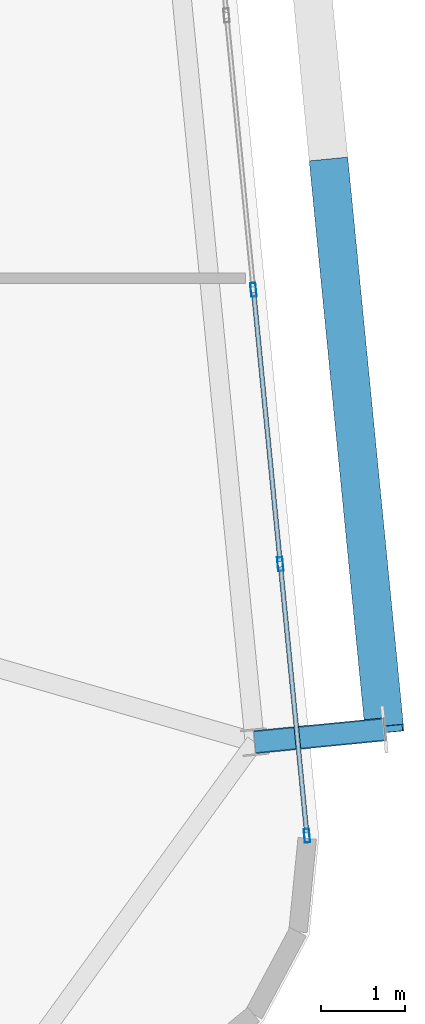
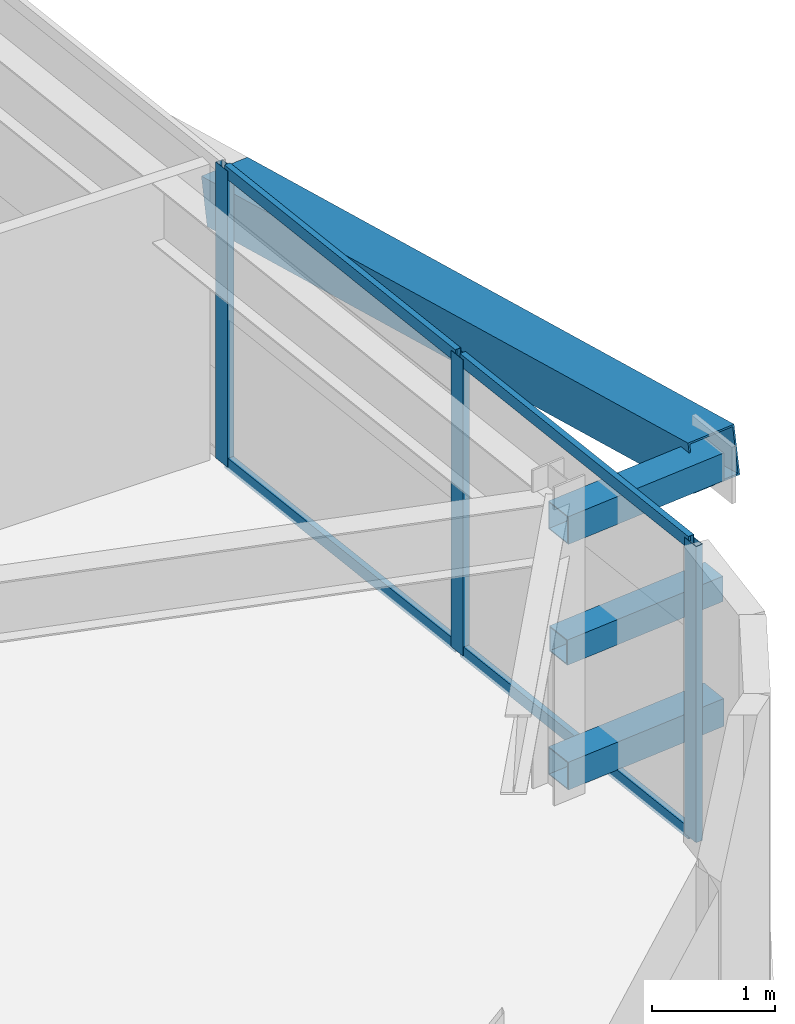
# One storey, part 22 of 51: 11 members, 1 element without a shape of its own.
"""IFC4 building model written with IfcOpenShell, lengths in metres."""

from ifc_helpers import new_model, si_unit, direction, frame, origin, origin_2d, place, context, subcontext, project, spatial, hollow_rectangle, extrude, source, transform, mapped, material, layer, layer_set, material_profile, profile_set, type_object, element, aggregate, save


model = new_model("IFC4")

# Units and contexts
model_context = context("Model", 3, precision=1e-05, world=origin(), true_north=direction((0.0, 1.0)))
body_context = subcontext(model_context, "Body", "Model", "MODEL_VIEW")
ifc_project = project(units=[si_unit("LENGTHUNIT", "METRE"), si_unit("AREAUNIT", "SQUARE_METRE"), si_unit("VOLUMEUNIT", "CUBIC_METRE"), si_unit("PLANEANGLEUNIT", "RADIAN"), si_unit("MASSUNIT", "GRAM", prefix="KILO")], contexts=[model_context])

# Site, building, storey
site_placement = place(None, origin())
site = spatial("IfcSite", under=ifc_project, at=site_placement, CompositionType="ELEMENT")
building_placement = place(site_placement, origin())
building = spatial("IfcBuilding", under=site, at=building_placement, Name="Taldren Reach Tower", CompositionType="ELEMENT")
storey_placement = place(building_placement, frame((0.0, 0.0, 65.10009765625)))
storey = spatial("IfcBuildingStorey", under=building, at=storey_placement, Name="L19", CompositionType="ELEMENT", Elevation=65.10009765625)

# Members
ifc_material_1 = material(Name="Steel Gr 450 (C450L0)", Category="steel")
ifc_material_profile_1 = material_profile(ifc_material_1, hollow_rectangle(XDim=0.27490234375, YDim=0.27490234375, WallThickness=0.00927734375, at=origin_2d()), Name="275x275x9.3SHS")
ifc_profile_set_1 = profile_set([ifc_material_profile_1], Name="Steel Gr 450 (C450L0)")
member_type_1 = type_object("IfcMemberType", Name="MB-TIE273", PredefinedType="STRUT", material=ifc_profile_set_1)
shared_shape_1 = source(origin(), body_context, "Body", "SweptSolid", [
    extrude(hollow_rectangle(XDim=0.27490234375, YDim=0.27490234375, WallThickness=0.00927734375, at=origin_2d()), origin(), (0.0, 0.0, 1.0), 1.550048828125),
])
for number, where, z_axis, x_axis, name in (
    (1, (65.8916015625, 8.483642578125, 2.64990234375), (0.995236318924, 0.097491894511, 0.0), (-0.097491894511, 0.995236318924, 0.0), "Exoskeleton diaphragm tie strut B2-E1 L19"),
    (2, (65.8916015625, 8.483642578125, 0.219970703125), (0.995236318924, 0.097491894511, 0.0), (-0.097491894511, 0.995236318924, 0.0), "Exoskeleton base diaphragm tie strut B2-E1 L19"),
):
    element("IfcMember", number, at=place(storey_placement, frame(where, z_axis=z_axis, x_axis=x_axis)), inside=storey, type_object=member_type_1, Name=name, PredefinedType="STRUT", context=body_context, shape_type="MappedRepresentation", body=[
        mapped(shared_shape_1, transform((0.0, 0.0, 0.0), scale=1.0)),
    ])
ifc_material_2 = material(Name="Steel Gr 350 (C350L0)", Category="steel")
ifc_material_profile_2 = material_profile(ifc_material_2, hollow_rectangle(XDim=0.25, YDim=0.25, WallThickness=0.010009765625, at=origin_2d()), Name="250x250x10.0SHS")
ifc_profile_set_2 = profile_set([ifc_material_profile_2], Name="Steel Gr 350 (C350L0)")
member_type_2 = type_object("IfcMemberType", Name="MB-POST250", PredefinedType="POST", material=ifc_profile_set_2)
shared_shape_2 = source(origin(), body_context, "Body", "SweptSolid", [
    extrude(hollow_rectangle(XDim=0.25, YDim=0.25, WallThickness=0.010009765625, at=origin_2d()), origin(), (0.0, 0.0, 1.0), 1.550048828125),
])
member_1_placement = place(storey_placement, frame((65.8916015625, 8.483642578125, 1.434814453125), z_axis=(0.995236318924, 0.097491894511, 0.0), x_axis=(-0.097491894511, 0.995236318924, 0.0)))
element("IfcMember", 3, at=member_1_placement, inside=storey, type_object=member_type_2, Name="Exoskeleton mid-tier diaphragm tie B2-E1 L19", PredefinedType="POST", context=body_context, shape_type="MappedRepresentation", body=[
    mapped(shared_shape_2, transform((0.0, 0.0, 0.0), scale=1.0)),
])
ifc_material_profile_3 = material_profile(ifc_material_1, hollow_rectangle(XDim=0.4599609375, YDim=0.4599609375, WallThickness=0.01611328125, at=origin_2d()), Name="460x460x16.0SHS")
ifc_profile_set_3 = profile_set([ifc_material_profile_3], Name="Steel Gr 450 (C450L0)")
member_type_3 = type_object("IfcMemberType", Name="MB-EXO457", PredefinedType="BRACE", material=ifc_profile_set_3)
shared_shape_3 = source(origin(), body_context, "Body", "SweptSolid", [
    extrude(hollow_rectangle(XDim=0.4599609375, YDim=0.4599609375, WallThickness=0.01611328125, at=origin_2d()), origin(), (0.0, 0.0, 1.0), 6.883056640625),
])
member_2_placement = place(storey_placement, frame((66.773193359375, 15.37744140625, 1.434814453125), z_axis=(0.09605145821, -0.97959718347, 0.176531797456), x_axis=(0.995227290009, 0.097584021339, 0.0)))
element("IfcMember", 4, at=member_2_placement, inside=storey, type_object=member_type_3, Name="Exoskeleton Diagrid Brace B2-E1 L19", PredefinedType="BRACE", context=body_context, shape_type="MappedRepresentation", body=[
    mapped(shared_shape_3, transform((0.0, 0.0, 0.0), scale=1.0)),
])

# Curtain wall, members
ifc_material_3 = material(Name="Aluminium and Low-E Glass Unitised System", Category="aluminium")
ifc_layer = layer(ifc_material_3, 0.159912109375)
ifc_layer_set = layer_set([ifc_layer], Name="Aluminium and Low-E Glass Unitised System")
curtain_wall_type = type_object("IfcCurtainWallType", Name="CW-SYS-3", PredefinedType="NOTDEFINED", material=ifc_layer_set)
curtain_wall_placement = place(storey_placement, origin())
curtain_wall = element("IfcCurtainWall", 5, at=curtain_wall_placement, inside=storey, type_object=curtain_wall_type, Name="Unitised curtain wall CW-L19-E", PredefinedType="NOTDEFINED")
ifc_material_4 = material(Name="Anodised Aluminium 6063-T6", Category="aluminium")
ifc_material_profile_4 = material_profile(ifc_material_4, hollow_rectangle(XDim=0.06494140625, YDim=0.1650390625, WallThickness=0.00390625, at=origin_2d()), Name="ALU-165x65x4RHS")
ifc_profile_set_4 = profile_set([ifc_material_profile_4], Name="Anodised Aluminium 6063-T6")
member_type_4 = type_object("IfcMemberType", Name="CW-MUL-165", PredefinedType="MULLION", material=ifc_profile_set_4)
shared_shape_4 = source(origin(), body_context, "Body", "SweptSolid", [
    extrude(hollow_rectangle(XDim=0.06494140625, YDim=0.1650390625, WallThickness=0.00390625, at=origin_2d()), origin(), (0.0, 0.0, 1.0), 2.929931640625),
])
member_3_placement = place(storey_placement, frame((66.51318359375, 7.371337890625, 0.0), z_axis=(0.0, 0.0, 1.0), x_axis=(-0.99522741555, -0.09758274098, 0.0)))
member_3 = element("IfcMember", 6, at=member_3_placement, type_object=member_type_4, Name="CW-3 mullion 1", PredefinedType="MULLION", context=body_context, shape_type="MappedRepresentation", body=[
    mapped(shared_shape_4, transform((0.0, 0.0, 0.0), scale=1.0)),
])
member_4_placement = place(storey_placement, frame((66.196533203125, 10.60107421875, 0.0), z_axis=(0.0, 0.0, 1.0), x_axis=(-0.99522741555, -0.09758274098, 0.0)))
member_4 = element("IfcMember", 7, at=member_4_placement, type_object=member_type_4, Name="CW-3 mullion 2", PredefinedType="MULLION", context=body_context, shape_type="MappedRepresentation", body=[
    mapped(shared_shape_4, transform((0.0, 0.0, 0.0), scale=1.0)),
])
member_5_placement = place(storey_placement, frame((65.876708984375, 13.86328125, 0.0), z_axis=(0.0, 0.0, 1.0), x_axis=(-0.99522741555, -0.09758274098, 0.0)))
member_5 = element("IfcMember", 8, at=member_5_placement, type_object=member_type_4, Name="CW-3 mullion 3", PredefinedType="MULLION", context=body_context, shape_type="MappedRepresentation", body=[
    mapped(shared_shape_4, transform((0.0, 0.0, 0.0), scale=1.0)),
])
ifc_material_profile_5 = material_profile(ifc_material_4, hollow_rectangle(XDim=0.054931640625, YDim=0.1201171875, WallThickness=0.0029296875, at=origin_2d()), Name="ALU-120x55x3RHS")
ifc_profile_set_5 = profile_set([ifc_material_profile_5], Name="Anodised Aluminium 6063-T6")
member_type_5 = type_object("IfcMemberType", Name="CW-TRN-135", PredefinedType="USERDEFINED", material=ifc_profile_set_5)
shared_shape_5 = source(origin(), body_context, "Body", "SweptSolid", [
    extrude(hollow_rectangle(XDim=0.054931640625, YDim=0.1201171875, WallThickness=0.0029296875, at=origin_2d()), origin(), (0.0, 0.0, 1.0), 3.18017578125),
])
member_6_placement = place(storey_placement, frame((66.510009765625, 7.40380859375, 0.02734375), z_axis=(-0.097572914968, 0.995228378949, 0.0), x_axis=(-0.995228378949, -0.097572914968, 0.0)))
member_6 = element("IfcMember", 9, at=member_6_placement, type_object=member_type_5, Name="CW-3 transom 1.1", ObjectType="TRANSOM", PredefinedType="USERDEFINED", context=body_context, shape_type="MappedRepresentation", body=[
    mapped(shared_shape_5, transform((0.0, 0.0, 0.0), scale=1.0)),
])
member_7_placement = place(storey_placement, frame((66.510009765625, 7.40380859375, 2.90234375), z_axis=(-0.097572914968, 0.995228378949, 0.0), x_axis=(-0.995228378949, -0.097572914968, 0.0)))
member_7 = element("IfcMember", 10, at=member_7_placement, type_object=member_type_5, Name="CW-3 transom 1.2", ObjectType="TRANSOM", PredefinedType="USERDEFINED", context=body_context, shape_type="MappedRepresentation", body=[
    mapped(shared_shape_5, transform((0.0, 0.0, 0.0), scale=1.0)),
])
shared_shape_6 = source(origin(), body_context, "Body", "SweptSolid", [
    extrude(hollow_rectangle(XDim=0.054931640625, YDim=0.1201171875, WallThickness=0.0029296875, at=origin_2d()), origin(), (0.0, 0.0, 1.0), 3.212890625),
])
member_8_placement = place(storey_placement, frame((66.193359375, 10.633544921875, 0.02734375), z_axis=(-0.097569948235, 0.995228669805, 0.0), x_axis=(-0.995228669805, -0.097569948235, 0.0)))
member_8 = element("IfcMember", 11, at=member_8_placement, type_object=member_type_5, Name="CW-3 transom 2.1", ObjectType="TRANSOM", PredefinedType="USERDEFINED", context=body_context, shape_type="MappedRepresentation", body=[
    mapped(shared_shape_6, transform((0.0, 0.0, 0.0), scale=1.0)),
])
member_9_placement = place(storey_placement, frame((66.193359375, 10.633544921875, 2.90234375), z_axis=(-0.097569948235, 0.995228669805, 0.0), x_axis=(-0.995228669805, -0.097569948235, 0.0)))
member_9 = element("IfcMember", 12, at=member_9_placement, type_object=member_type_5, Name="CW-3 transom 2.2", ObjectType="TRANSOM", PredefinedType="USERDEFINED", context=body_context, shape_type="MappedRepresentation", body=[
    mapped(shared_shape_6, transform((0.0, 0.0, 0.0), scale=1.0)),
])
aggregate(curtain_wall, [member_3, member_4, member_5, member_6, member_7, member_8, member_9])

save(model, "model.ifc")
